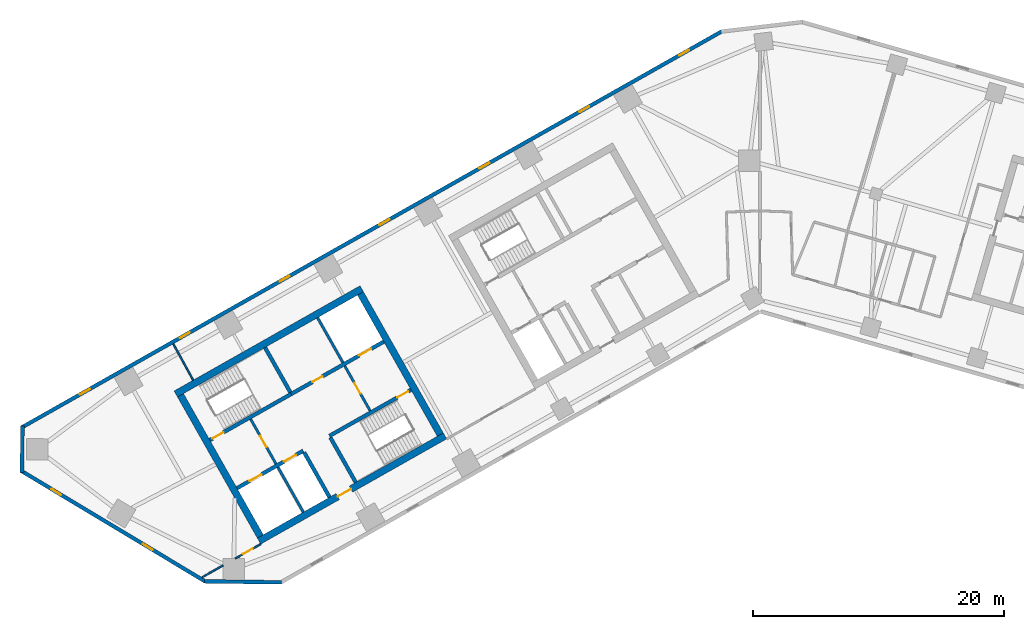
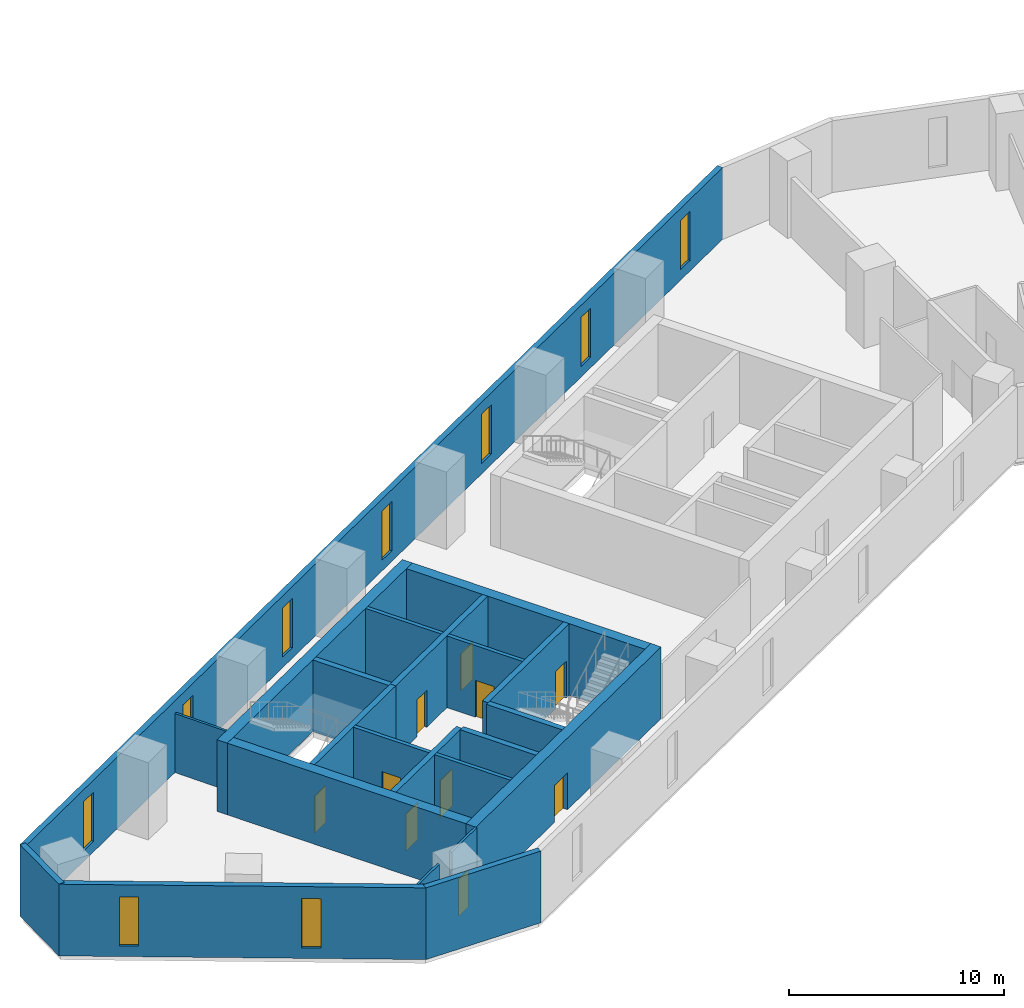
# One storey, part 3 of 10: 22 walls, 10 doors, 9 windows, 19 openings.
"""IFC4 building model written with IfcOpenShell, lengths in metres."""

from ifc_helpers import new_model, si_unit, direction, frame, frame_2d, origin, place, context, subcontext, project, spatial, rectangle, extrude, material, layer, layer_set, type_object, element, fill, save


model = new_model("IFC4")

# Units and contexts
model_context = context("Model", 3, precision=1e-05, world=origin(), true_north=direction((0.0, 1.0)))
body_context = subcontext(model_context, "Body", "Model", "MODEL_VIEW")
ifc_project = project(units=[si_unit("LENGTHUNIT", "METRE"), si_unit("AREAUNIT", "SQUARE_METRE"), si_unit("VOLUMEUNIT", "CUBIC_METRE"), si_unit("PLANEANGLEUNIT", "RADIAN"), si_unit("MASSUNIT", "GRAM", prefix="KILO")], contexts=[model_context])

# Site, building, storey
site_placement = place(None, origin())
site = spatial("IfcSite", under=ifc_project, at=site_placement, CompositionType="ELEMENT")
building_placement = place(site_placement, origin())
building = spatial("IfcBuilding", under=site, at=building_placement, Name="Binnacle Exchange Tower", CompositionType="ELEMENT")
storey_placement = place(building_placement, frame((0.0, 0.0, 110.300048828125)))
storey = spatial("IfcBuildingStorey", under=building, at=storey_placement, Name="L22", CompositionType="ELEMENT", Elevation=110.300048828125)

# Wall, openings, doors
ifc_material_1 = material(Name="Concrete C70/85", Category="concrete")
ifc_layer_1 = layer(ifc_material_1, 0.300048828125)
ifc_layer_set_1 = layer_set([ifc_layer_1], Name="Core wall - front 300")
wall_type_1 = type_object("IfcWallType", Name="Core wall - front 300", PredefinedType="SOLIDWALL", material=ifc_layer_set_1)
wall_1_placement = place(storey_placement, frame((-41.599609375, 33.936279296875, 0.0), z_axis=(0.0, 0.0, 1.0), x_axis=(0.870348557882, 0.492436176365, 0.0)))
wall_1 = element("IfcWall", 1, at=wall_1_placement, inside=storey, type_object=wall_type_1, Name="Core wall CRWA2", PredefinedType="SOLIDWALL", context=body_context, shape_type="SweptSolid", body=[
    extrude(rectangle(XDim=6.050048828125, YDim=0.300048828125, at=frame_2d((3.02490234375, 0.0))), origin(), (0.0, 0.0, 1.0), 4.079833984375),
])
opening_1_placement = place(wall_1_placement, frame((1.14990234375, 0.0, 0.0)))
opening_1 = element("IfcOpeningElement", 2, at=opening_1_placement, cuts=wall_1, Name="Opening LD12", PredefinedType="OPENING", context=body_context, shape_type="SweptSolid", body=[
    extrude(rectangle(XDim=1.10009765625, YDim=2.10009765625, at=frame_2d((0.550048828125, 1.050048828125))), frame((0.0, 0.159912109375, 0.0), z_axis=(0.0, -1.0, 0.0), x_axis=(1.0, 0.0, 0.0)), (0.0, 0.0, 1.0), 0.320068359375),
])
opening_2_placement = place(wall_1_placement, frame((4.300048828125, 0.0, 0.0)))
opening_2 = element("IfcOpeningElement", 3, at=opening_2_placement, cuts=wall_1, Name="Opening LD8", PredefinedType="OPENING", context=body_context, shape_type="SweptSolid", body=[
    extrude(rectangle(XDim=1.10009765625, YDim=2.10009765625, at=frame_2d((0.550048828125, 1.050048828125))), frame((0.0, 0.159912109375, 0.0), z_axis=(0.0, -1.0, 0.0), x_axis=(1.0, 0.0, 0.0)), (0.0, 0.0, 1.0), 0.320068359375),
])
ifc_material_2 = material(Name="Steel door leaf", Category="steel")
door_type_1 = type_object("IfcDoorType", Name="Fire door - lift landing 1100", OperationType="NOTDEFINED", PredefinedType="DOOR", material=ifc_material_2)
door_1_placement = place(opening_1_placement, origin())
door_1 = element("IfcDoor", 4, at=door_1_placement, inside=storey, type_object=door_type_1, Name="Landing door LD12 L22", OperationType="DOUBLE_DOOR_SLIDING", OverallHeight=2.10009765625, OverallWidth=1.10009765625, PredefinedType="DOOR", context=body_context, shape_type="SweptSolid", body=[
    extrude(rectangle(XDim=1.10009765625, YDim=2.10009765625, at=frame_2d((0.550048828125, 1.050048828125))), frame((0.0, 0.02490234375, 0.0), z_axis=(0.0, -1.0, 0.0), x_axis=(1.0, 0.0, 0.0)), (0.0, 0.0, 1.0), 0.050048828125),
])
fill(opening_1, door_1)
door_2_placement = place(opening_2_placement, origin())
door_2 = element("IfcDoor", 5, at=door_2_placement, inside=storey, type_object=door_type_1, Name="Landing door LD8 L22", OperationType="DOUBLE_DOOR_SLIDING", OverallHeight=2.10009765625, OverallWidth=1.10009765625, PredefinedType="DOOR", context=body_context, shape_type="SweptSolid", body=[
    extrude(rectangle(XDim=1.10009765625, YDim=2.10009765625, at=frame_2d((0.550048828125, 1.050048828125))), frame((0.0, 0.02490234375, 0.0), z_axis=(0.0, -1.0, 0.0), x_axis=(1.0, 0.0, 0.0)), (0.0, 0.0, 1.0), 0.050048828125),
])
fill(opening_2, door_2)

wall_2_placement = place(storey_placement, frame((-37.281982421875, 41.4345703125, 0.0), z_axis=(0.0, 0.0, 1.0), x_axis=(0.870359895813, 0.492416136779, 0.0)))
wall_2 = element("IfcWall", 6, at=wall_2_placement, inside=storey, type_object=wall_type_1, Name="Core wall CRWA5", PredefinedType="SOLIDWALL", context=body_context, shape_type="SweptSolid", body=[
    extrude(rectangle(XDim=8.449951171875, YDim=0.300048828125, at=frame_2d((4.22509765625, 0.0))), origin(), (0.0, 0.0, 1.0), 4.079833984375),
])
opening_3_placement = place(wall_2_placement, frame((6.199951171875, 0.0, 0.0)))
opening_3 = element("IfcOpeningElement", 7, at=opening_3_placement, cuts=wall_2, Name="Opening LD13", PredefinedType="OPENING", context=body_context, shape_type="SweptSolid", body=[
    extrude(rectangle(XDim=1.10009765625, YDim=2.10009765625, at=frame_2d((0.550048828125, 1.050048828125))), frame((0.0, 0.159912109375, 0.0), z_axis=(0.0, -1.0, 0.0), x_axis=(1.0, 0.0, 0.0)), (0.0, 0.0, 1.0), 0.320068359375),
])
opening_4_placement = place(wall_2_placement, frame((1.949951171875, 0.0, 0.0)))
opening_4 = element("IfcOpeningElement", 8, at=opening_4_placement, cuts=wall_2, Name="Opening DA10", PredefinedType="OPENING", context=body_context, shape_type="SweptSolid", body=[
    extrude(rectangle(XDim=0.89990234375, YDim=2.10009765625, at=frame_2d((0.449951171875, 1.050048828125))), frame((0.0, 0.159912109375, 0.0), z_axis=(0.0, -1.0, 0.0), x_axis=(1.0, 0.0, 0.0)), (0.0, 0.0, 1.0), 0.320068359375),
])
door_3_placement = place(opening_3_placement, origin())
door_3 = element("IfcDoor", 9, at=door_3_placement, inside=storey, type_object=door_type_1, Name="Landing door LD13 L22", OperationType="DOUBLE_DOOR_SLIDING", OverallHeight=2.10009765625, OverallWidth=1.10009765625, PredefinedType="DOOR", context=body_context, shape_type="SweptSolid", body=[
    extrude(rectangle(XDim=1.10009765625, YDim=2.10009765625, at=frame_2d((0.550048828125, 1.050048828125))), frame((0.0, 0.02490234375, 0.0), z_axis=(0.0, -1.0, 0.0), x_axis=(1.0, 0.0, 0.0)), (0.0, 0.0, 1.0), 0.050048828125),
])
fill(opening_3, door_3)
door_type_2 = type_object("IfcDoorType", Name="Fire door 900", OperationType="NOTDEFINED", PredefinedType="DOOR", material=ifc_material_2)
door_4_placement = place(opening_4_placement, origin())
door_4 = element("IfcDoor", 10, at=door_4_placement, inside=storey, type_object=door_type_2, Name="Core room door EQUIPMENT STORE", OperationType="SINGLE_SWING_LEFT", OverallHeight=2.10009765625, OverallWidth=0.89990234375, PredefinedType="DOOR", context=body_context, shape_type="SweptSolid", body=[
    extrude(rectangle(XDim=0.89990234375, YDim=2.10009765625, at=frame_2d((0.449951171875, 1.050048828125))), frame((0.0, 0.02490234375, 0.0), z_axis=(0.0, -1.0, 0.0), x_axis=(1.0, 0.0, 0.0)), (0.0, 0.0, 1.0), 0.050048828125),
])
fill(opening_4, door_4)

# Wall
wall_3_placement = place(storey_placement, frame((-36.260009765625, 36.784912109375, 0.0), z_axis=(0.0, 0.0, 1.0), x_axis=(0.492408451753, -0.87036424366, 0.0)))
element("IfcWall", 11, at=wall_3_placement, inside=storey, type_object=wall_type_1, Name="Core wall CRWA13", PredefinedType="SOLIDWALL", context=body_context, shape_type="SweptSolid", body=[
    extrude(rectangle(XDim=4.099853515625, YDim=0.300048828125, at=frame_2d((2.0498046875, 0.0))), origin(), (0.0, 0.0, 1.0), 4.079833984375),
])

# Wall, opening, door
ifc_layer_2 = layer(ifc_material_1, 0.550048828125)
ifc_layer_set_2 = layer_set([ifc_layer_2], Name="Core wall - outer 550")
wall_type_2 = type_object("IfcWallType", Name="Core wall - outer 550", PredefinedType="SOLIDWALL", material=ifc_layer_set_2)
wall_4_placement = place(storey_placement, frame((-39.85009765625, 29.727294921875, 0.0), z_axis=(0.0, 0.0, 1.0), x_axis=(0.870359753402, 0.492416388494, 0.0)))
wall_4 = element("IfcWall", 12, at=wall_4_placement, inside=storey, type_object=wall_type_2, Name="Core wall CRWA1", PredefinedType="SOLIDWALL", context=body_context, shape_type="SweptSolid", body=[
    extrude(rectangle(XDim=17.0, YDim=0.550048828125, at=frame_2d((8.5, 0.0))), origin(), (0.0, 0.0, 1.0), 4.079833984375),
])
opening_5_placement = place(wall_4_placement, frame((7.199951171875, 0.0, 0.0)))
opening_5 = element("IfcOpeningElement", 13, at=opening_5_placement, cuts=wall_4, Name="Opening DA7", PredefinedType="OPENING", context=body_context, shape_type="SweptSolid", body=[
    extrude(rectangle(XDim=1.199951171875, YDim=2.10009765625, at=frame_2d((0.60009765625, 1.050048828125))), frame((0.0, 0.284912109375, 0.0), z_axis=(0.0, -1.0, 0.0), x_axis=(1.0, 0.0, 0.0)), (0.0, 0.0, 1.0), 0.570068359375),
])
door_type_3 = type_object("IfcDoorType", Name="Fire door 1200", OperationType="NOTDEFINED", PredefinedType="DOOR", material=ifc_material_2)
door_5_placement = place(opening_5_placement, frame((1.199951171875, 0.0, 0.0), z_axis=(0.0, 0.0, 1.0), x_axis=(-1.0, 0.0, 0.0)))
door_5 = element("IfcDoor", 14, at=door_5_placement, inside=storey, type_object=door_type_3, Name="Lift lobby entrance door core A", OperationType="SINGLE_SWING_RIGHT", OverallHeight=2.10009765625, OverallWidth=1.199951171875, PredefinedType="DOOR", context=body_context, shape_type="SweptSolid", body=[
    extrude(rectangle(XDim=1.199951171875, YDim=2.10009765625, at=frame_2d((0.60009765625, 1.050048828125))), frame((0.0, 0.02490234375, 0.0), z_axis=(0.0, -1.0, 0.0), x_axis=(1.0, 0.0, 0.0)), (0.0, 0.0, 1.0), 0.050048828125),
])
fill(opening_5, door_5)

# Walls
wall_5_placement = place(storey_placement, frame((-46.47314453125, 41.43359375, 0.0), z_axis=(0.0, 0.0, 1.0), x_axis=(0.870359753402, 0.492416388494, 0.0)))
element("IfcWall", 15, at=wall_5_placement, inside=storey, type_object=wall_type_2, Name="Core wall CRWA6", PredefinedType="SOLIDWALL", context=body_context, shape_type="SweptSolid", body=[
    extrude(rectangle(XDim=17.0, YDim=0.550048828125, at=frame_2d((8.5, 0.0))), origin(), (0.0, 0.0, 1.0), 4.079833984375),
])
wall_6_placement = place(storey_placement, frame((-46.098388671875, 41.32958984375, 0.0), z_axis=(0.0, 0.0, 1.0), x_axis=(0.492418910884, -0.870358326325, 0.0)))
element("IfcWall", 16, at=wall_6_placement, inside=storey, type_object=wall_type_2, Name="Core wall CRWA7", PredefinedType="SOLIDWALL", context=body_context, shape_type="SweptSolid", body=[
    extrude(rectangle(XDim=12.900146484375, YDim=0.550048828125, at=frame_2d((6.4501953125, 0.0))), origin(), (0.0, 0.0, 1.0), 4.079833984375),
])
wall_7_placement = place(storey_placement, frame((-31.781005859375, 49.429931640625, 0.0), z_axis=(0.0, 0.0, 1.0), x_axis=(0.492427022044, -0.870353737259, 0.0)))
element("IfcWall", 17, at=wall_7_placement, inside=storey, type_object=wall_type_2, Name="Core wall CRWA22", PredefinedType="SOLIDWALL", context=body_context, shape_type="SweptSolid", body=[
    extrude(rectangle(XDim=12.89990234375, YDim=0.550048828125, at=frame_2d((6.449951171875, 0.0))), origin(), (0.0, 0.0, 1.0), 4.079833984375),
])

# Wall, opening, door
ifc_layer_3 = layer(ifc_material_1, 0.300048828125)
ifc_layer_set_3 = layer_set([ifc_layer_3], Name="Core wall - stair 300")
wall_type_3 = type_object("IfcWallType", Name="Core wall - stair 300", PredefinedType="SOLIDWALL", material=ifc_layer_set_3)
wall_8_placement = place(storey_placement, frame((-34.2451171875, 38.097412109375, 0.0), z_axis=(0.0, 0.0, 1.0), x_axis=(0.870360741098, 0.49241464271, 0.0)))
wall_8 = element("IfcWall", 18, at=wall_8_placement, inside=storey, type_object=wall_type_3, Name="Core wall CRWA3", PredefinedType="SOLIDWALL", context=body_context, shape_type="SweptSolid", body=[
    extrude(rectangle(XDim=7.449951171875, YDim=0.300048828125, at=frame_2d((3.72509765625, 0.0))), origin(), (0.0, 0.0, 1.0), 4.079833984375),
])
opening_6_placement = place(wall_8_placement, frame((6.199951171875, 0.0, 0.0)))
opening_6 = element("IfcOpeningElement", 19, at=opening_6_placement, cuts=wall_8, Name="Opening DA2", PredefinedType="OPENING", context=body_context, shape_type="SweptSolid", body=[
    extrude(rectangle(XDim=1.0, YDim=2.10009765625, at=frame_2d((0.5, 1.050048828125))), frame((0.0, 0.159912109375, 0.0), z_axis=(0.0, -1.0, 0.0), x_axis=(1.0, 0.0, 0.0)), (0.0, 0.0, 1.0), 0.320068359375),
])
door_type_4 = type_object("IfcDoorType", Name="Fire door 1000", OperationType="NOTDEFINED", PredefinedType="DOOR", material=ifc_material_2)
door_6_placement = place(opening_6_placement, frame((1.0, 0.0, 0.0), z_axis=(0.0, 0.0, 1.0), x_axis=(-1.0, 0.0, 0.0)))
door_6 = element("IfcDoor", 20, at=door_6_placement, inside=storey, type_object=door_type_4, Name="Stair door ST-A2", OperationType="SINGLE_SWING_LEFT", OverallHeight=2.10009765625, OverallWidth=1.0, PredefinedType="DOOR", context=body_context, shape_type="SweptSolid", body=[
    extrude(rectangle(XDim=1.0, YDim=2.10009765625, at=frame_2d((0.5, 1.050048828125))), frame((0.0, 0.02490234375, 0.0), z_axis=(0.0, -1.0, 0.0), x_axis=(1.0, 0.0, 0.0)), (0.0, 0.0, 1.0), 0.050048828125),
])
fill(opening_6, door_6)

wall_9_placement = place(storey_placement, frame((-43.76611328125, 37.765869140625, 0.0), z_axis=(0.0, 0.0, 1.0), x_axis=(0.870346696097, 0.492439466932, 0.0)))
wall_9 = element("IfcWall", 21, at=wall_9_placement, inside=storey, type_object=wall_type_3, Name="Core wall CRWA4", PredefinedType="SOLIDWALL", context=body_context, shape_type="SweptSolid", body=[
    extrude(rectangle(XDim=7.449951171875, YDim=0.300048828125, at=frame_2d((3.72509765625, 0.0))), origin(), (0.0, 0.0, 1.0), 4.079833984375),
])
opening_7_placement = place(wall_9_placement, frame((0.25, 0.0, 0.0)))
opening_7 = element("IfcOpeningElement", 22, at=opening_7_placement, cuts=wall_9, Name="Opening DA1", PredefinedType="OPENING", context=body_context, shape_type="SweptSolid", body=[
    extrude(rectangle(XDim=1.0, YDim=2.10009765625, at=frame_2d((0.5, 1.050048828125))), frame((0.0, 0.159912109375, 0.0), z_axis=(0.0, -1.0, 0.0), x_axis=(1.0, 0.0, 0.0)), (0.0, 0.0, 1.0), 0.320068359375),
])
door_7_placement = place(opening_7_placement, origin())
door_7 = element("IfcDoor", 23, at=door_7_placement, inside=storey, type_object=door_type_4, Name="Stair door ST-A1", OperationType="SINGLE_SWING_LEFT", OverallHeight=2.10009765625, OverallWidth=1.0, PredefinedType="DOOR", context=body_context, shape_type="SweptSolid", body=[
    extrude(rectangle(XDim=1.0, YDim=2.10009765625, at=frame_2d((0.5, 1.050048828125))), frame((0.0, 0.02490234375, 0.0), z_axis=(0.0, -1.0, 0.0), x_axis=(1.0, 0.0, 0.0)), (0.0, 0.0, 1.0), 0.050048828125),
])
fill(opening_7, door_7)

# Walls
for number, where, z_axis, x_axis, name in (
    (24, (-39.375, 45.133544921875, 0.0), (0.0, 0.0, 1.0), (0.492428039142, -0.870353161807, 0.0), "Core wall CRWA14"),
    (25, (-34.171142578125, 37.966796875, 0.0), (0.0, 0.0, 1.0), (0.492382931784, -0.870378681085, 0.0), "Core wall CRWA16"),
):
    element("IfcWall", number, at=place(storey_placement, frame(where, z_axis=z_axis, x_axis=x_axis)), inside=storey, type_object=wall_type_3, Name=name, PredefinedType="SOLIDWALL", context=body_context, shape_type="SweptSolid", body=[
        extrude(rectangle(XDim=4.10009765625, YDim=0.300048828125, at=frame_2d((2.050048828125, 0.0))), origin(), (0.0, 0.0, 1.0), 4.079833984375),
    ])

# Wall, openings, windows
ifc_material_3 = material(Name="Bronze aluminium cladding", Category="aluminium")
ifc_layer_4 = layer(ifc_material_3, 0.300048828125)
ifc_layer_set_4 = layer_set([ifc_layer_4], Name="External wall - spandrel 300")
wall_type_4 = type_object("IfcWallType", Name="External wall - spandrel 300", PredefinedType="STANDARD", material=ifc_layer_set_4)
wall_10_placement = place(storey_placement, frame((-58.744873046875, 38.763671875, 0.0), z_axis=(0.0, 0.0, 1.0), x_axis=(0.870355811726, 0.492423355453, 0.0)))
wall_10 = element("IfcWall", 26, at=wall_10_placement, inside=storey, type_object=wall_type_4, Name="External wall EW-F03 L22", PredefinedType="STANDARD", context=body_context, shape_type="SweptSolid", body=[
    extrude(rectangle(XDim=64.025390625, YDim=0.300048828125, at=frame_2d((32.0126953125, 0.0))), origin(), (0.0, 0.0, 1.0), 4.079833984375),
])
opening_8_placement = place(wall_10_placement, frame((60.12158203125, 0.0, 0.60009765625)))
opening_8 = element("IfcOpeningElement", 27, at=opening_8_placement, cuts=wall_10, Name="Opening WS2", PredefinedType="OPENING", context=body_context, shape_type="SweptSolid", body=[
    extrude(rectangle(XDim=0.89990234375, YDim=2.800048828125, at=frame_2d((0.449951171875, 1.39990234375))), frame((0.0, 0.159912109375, 0.0), z_axis=(0.0, -1.0, 0.0), x_axis=(1.0, 0.0, 0.0)), (0.0, 0.0, 1.0), 0.320068359375),
])
opening_9_placement = place(wall_10_placement, frame((50.99169921875, 0.0, 0.60009765625)))
opening_9 = element("IfcOpeningElement", 28, at=opening_9_placement, cuts=wall_10, Name="Opening WS2", PredefinedType="OPENING", context=body_context, shape_type="SweptSolid", body=[
    extrude(rectangle(XDim=0.89990234375, YDim=2.800048828125, at=frame_2d((0.449951171875, 1.39990234375))), frame((0.0, 0.159912109375, 0.0), z_axis=(0.0, -1.0, 0.0), x_axis=(1.0, 0.0, 0.0)), (0.0, 0.0, 1.0), 0.320068359375),
])
opening_10_placement = place(wall_10_placement, frame((41.86181640625, 0.0, 0.60009765625)))
opening_10 = element("IfcOpeningElement", 29, at=opening_10_placement, cuts=wall_10, Name="Opening WS2", PredefinedType="OPENING", context=body_context, shape_type="SweptSolid", body=[
    extrude(rectangle(XDim=0.89990234375, YDim=2.800048828125, at=frame_2d((0.449951171875, 1.39990234375))), frame((0.0, 0.159912109375, 0.0), z_axis=(0.0, -1.0, 0.0), x_axis=(1.0, 0.0, 0.0)), (0.0, 0.0, 1.0), 0.320068359375),
])
opening_11_placement = place(wall_10_placement, frame((32.73193359375, 0.0, 0.60009765625)))
opening_11 = element("IfcOpeningElement", 30, at=opening_11_placement, cuts=wall_10, Name="Opening WS2", PredefinedType="OPENING", context=body_context, shape_type="SweptSolid", body=[
    extrude(rectangle(XDim=0.89990234375, YDim=2.800048828125, at=frame_2d((0.449951171875, 1.39990234375))), frame((0.0, 0.159912109375, 0.0), z_axis=(0.0, -1.0, 0.0), x_axis=(1.0, 0.0, 0.0)), (0.0, 0.0, 1.0), 0.320068359375),
])
opening_12_placement = place(wall_10_placement, frame((23.60205078125, 0.0, 0.60009765625)))
opening_12 = element("IfcOpeningElement", 31, at=opening_12_placement, cuts=wall_10, Name="Opening WS2", PredefinedType="OPENING", context=body_context, shape_type="SweptSolid", body=[
    extrude(rectangle(XDim=0.89990234375, YDim=2.800048828125, at=frame_2d((0.449951171875, 1.39990234375))), frame((0.0, 0.159912109375, 0.0), z_axis=(0.0, -1.0, 0.0), x_axis=(1.0, 0.0, 0.0)), (0.0, 0.0, 1.0), 0.320068359375),
])
opening_13_placement = place(wall_10_placement, frame((14.47216796875, 0.0, 0.60009765625)))
opening_13 = element("IfcOpeningElement", 32, at=opening_13_placement, cuts=wall_10, Name="Opening WS2", PredefinedType="OPENING", context=body_context, shape_type="SweptSolid", body=[
    extrude(rectangle(XDim=0.89990234375, YDim=2.800048828125, at=frame_2d((0.449951171875, 1.39990234375))), frame((0.0, 0.159912109375, 0.0), z_axis=(0.0, -1.0, 0.0), x_axis=(1.0, 0.0, 0.0)), (0.0, 0.0, 1.0), 0.320068359375),
])
opening_14_placement = place(wall_10_placement, frame((5.34228515625, 0.0, 0.60009765625)))
opening_14 = element("IfcOpeningElement", 33, at=opening_14_placement, cuts=wall_10, Name="Opening WS2", PredefinedType="OPENING", context=body_context, shape_type="SweptSolid", body=[
    extrude(rectangle(XDim=0.89990234375, YDim=2.800048828125, at=frame_2d((0.449951171875, 1.39990234375))), frame((0.0, 0.159912109375, 0.0), z_axis=(0.0, -1.0, 0.0), x_axis=(1.0, 0.0, 0.0)), (0.0, 0.0, 1.0), 0.320068359375),
])
ifc_material_4 = material(Name="Bronze anodised aluminium frame", Category="aluminium")
window_type = type_object("IfcWindowType", Name="WS2 WINDOW 900x2800", PartitioningType="SINGLE_PANEL", PredefinedType="WINDOW", material=ifc_material_4)
window_1_placement = place(opening_8_placement, origin())
window_1 = element("IfcWindow", 34, at=window_1_placement, inside=storey, type_object=window_type, Name="Window WS2 L22", OverallHeight=2.800048828125, OverallWidth=0.89990234375, PartitioningType="SINGLE_PANEL", PredefinedType="WINDOW", context=body_context, shape_type="SweptSolid", body=[
    extrude(rectangle(XDim=0.89990234375, YDim=2.800048828125, at=frame_2d((0.449951171875, 1.39990234375))), frame((0.0, 0.030029296875, 0.0), z_axis=(0.0, -1.0, 0.0), x_axis=(1.0, 0.0, 0.0)), (0.0, 0.0, 1.0), 0.06005859375),
])
fill(opening_8, window_1)
window_2_placement = place(opening_9_placement, origin())
window_2 = element("IfcWindow", 35, at=window_2_placement, inside=storey, type_object=window_type, Name="Window WS2 L22", OverallHeight=2.800048828125, OverallWidth=0.89990234375, PartitioningType="SINGLE_PANEL", PredefinedType="WINDOW", context=body_context, shape_type="SweptSolid", body=[
    extrude(rectangle(XDim=0.89990234375, YDim=2.800048828125, at=frame_2d((0.449951171875, 1.39990234375))), frame((0.0, 0.030029296875, 0.0), z_axis=(0.0, -1.0, 0.0), x_axis=(1.0, 0.0, 0.0)), (0.0, 0.0, 1.0), 0.06005859375),
])
fill(opening_9, window_2)
window_3_placement = place(opening_10_placement, origin())
window_3 = element("IfcWindow", 36, at=window_3_placement, inside=storey, type_object=window_type, Name="Window WS2 L22", OverallHeight=2.800048828125, OverallWidth=0.89990234375, PartitioningType="SINGLE_PANEL", PredefinedType="WINDOW", context=body_context, shape_type="SweptSolid", body=[
    extrude(rectangle(XDim=0.89990234375, YDim=2.800048828125, at=frame_2d((0.449951171875, 1.39990234375))), frame((0.0, 0.030029296875, 0.0), z_axis=(0.0, -1.0, 0.0), x_axis=(1.0, 0.0, 0.0)), (0.0, 0.0, 1.0), 0.06005859375),
])
fill(opening_10, window_3)
window_4_placement = place(opening_11_placement, origin())
window_4 = element("IfcWindow", 37, at=window_4_placement, inside=storey, type_object=window_type, Name="Window WS2 L22", OverallHeight=2.800048828125, OverallWidth=0.89990234375, PartitioningType="SINGLE_PANEL", PredefinedType="WINDOW", context=body_context, shape_type="SweptSolid", body=[
    extrude(rectangle(XDim=0.89990234375, YDim=2.800048828125, at=frame_2d((0.449951171875, 1.39990234375))), frame((0.0, 0.030029296875, 0.0), z_axis=(0.0, -1.0, 0.0), x_axis=(1.0, 0.0, 0.0)), (0.0, 0.0, 1.0), 0.06005859375),
])
fill(opening_11, window_4)
window_5_placement = place(opening_12_placement, origin())
window_5 = element("IfcWindow", 38, at=window_5_placement, inside=storey, type_object=window_type, Name="Window WS2 L22", OverallHeight=2.800048828125, OverallWidth=0.89990234375, PartitioningType="SINGLE_PANEL", PredefinedType="WINDOW", context=body_context, shape_type="SweptSolid", body=[
    extrude(rectangle(XDim=0.89990234375, YDim=2.800048828125, at=frame_2d((0.449951171875, 1.39990234375))), frame((0.0, 0.030029296875, 0.0), z_axis=(0.0, -1.0, 0.0), x_axis=(1.0, 0.0, 0.0)), (0.0, 0.0, 1.0), 0.06005859375),
])
fill(opening_12, window_5)
window_6_placement = place(opening_13_placement, origin())
window_6 = element("IfcWindow", 39, at=window_6_placement, inside=storey, type_object=window_type, Name="Window WS2 L22", OverallHeight=2.800048828125, OverallWidth=0.89990234375, PartitioningType="SINGLE_PANEL", PredefinedType="WINDOW", context=body_context, shape_type="SweptSolid", body=[
    extrude(rectangle(XDim=0.89990234375, YDim=2.800048828125, at=frame_2d((0.449951171875, 1.39990234375))), frame((0.0, 0.030029296875, 0.0), z_axis=(0.0, -1.0, 0.0), x_axis=(1.0, 0.0, 0.0)), (0.0, 0.0, 1.0), 0.06005859375),
])
fill(opening_13, window_6)
window_7_placement = place(opening_14_placement, origin())
window_7 = element("IfcWindow", 40, at=window_7_placement, inside=storey, type_object=window_type, Name="Window WS2 L22", OverallHeight=2.800048828125, OverallWidth=0.89990234375, PartitioningType="SINGLE_PANEL", PredefinedType="WINDOW", context=body_context, shape_type="SweptSolid", body=[
    extrude(rectangle(XDim=0.89990234375, YDim=2.800048828125, at=frame_2d((0.449951171875, 1.39990234375))), frame((0.0, 0.030029296875, 0.0), z_axis=(0.0, -1.0, 0.0), x_axis=(1.0, 0.0, 0.0)), (0.0, 0.0, 1.0), 0.06005859375),
])
fill(opening_14, window_7)

# Wall
wall_11_placement = place(storey_placement, frame((-58.717041015625, 35.19384765625, 0.0), z_axis=(0.0, 0.0, 1.0), x_axis=(0.013069053407, 0.999914596275, 0.0)))
element("IfcWall", 41, at=wall_11_placement, inside=storey, type_object=wall_type_4, Name="External wall EW-F04 L22", PredefinedType="STANDARD", context=body_context, shape_type="SweptSolid", body=[
    extrude(rectangle(XDim=3.69873046875, YDim=0.300048828125, at=frame_2d((1.849365234375, 0.0))), origin(), (0.0, 0.0, 1.0), 4.079833984375),
])

# Wall, openings, windows
wall_12_placement = place(storey_placement, frame((-44.109375, 26.503662109375, 0.0), z_axis=(0.0, 0.0, 1.0), x_axis=(-0.857169502585, 0.515034410344, 0.0)))
wall_12 = element("IfcWall", 42, at=wall_12_placement, inside=storey, type_object=wall_type_4, Name="External wall EW-F05 L22", PredefinedType="STANDARD", context=body_context, shape_type="SweptSolid", body=[
    extrude(rectangle(XDim=17.126708984375, YDim=0.300048828125, at=frame_2d((8.5634765625, 0.0))), origin(), (0.0, 0.0, 1.0), 4.079833984375),
])
opening_15_placement = place(wall_12_placement, frame((13.403076171875, 0.0, 0.60009765625)))
opening_15 = element("IfcOpeningElement", 43, at=opening_15_placement, cuts=wall_12, Name="Opening WS2", PredefinedType="OPENING", context=body_context, shape_type="SweptSolid", body=[
    extrude(rectangle(XDim=0.89990234375, YDim=2.800048828125, at=frame_2d((0.449951171875, 1.39990234375))), frame((0.0, 0.159912109375, 0.0), z_axis=(0.0, -1.0, 0.0), x_axis=(1.0, 0.0, 0.0)), (0.0, 0.0, 1.0), 0.320068359375),
])
opening_16_placement = place(wall_12_placement, frame((4.903076171875, 0.0, 0.60009765625)))
opening_16 = element("IfcOpeningElement", 44, at=opening_16_placement, cuts=wall_12, Name="Opening WS2", PredefinedType="OPENING", context=body_context, shape_type="SweptSolid", body=[
    extrude(rectangle(XDim=0.89990234375, YDim=2.800048828125, at=frame_2d((0.449951171875, 1.39990234375))), frame((0.0, 0.159912109375, 0.0), z_axis=(0.0, -1.0, 0.0), x_axis=(1.0, 0.0, 0.0)), (0.0, 0.0, 1.0), 0.320068359375),
])
window_8_placement = place(opening_15_placement, origin())
window_8 = element("IfcWindow", 45, at=window_8_placement, inside=storey, type_object=window_type, Name="Window WS2 L22", OverallHeight=2.800048828125, OverallWidth=0.89990234375, PartitioningType="SINGLE_PANEL", PredefinedType="WINDOW", context=body_context, shape_type="SweptSolid", body=[
    extrude(rectangle(XDim=0.89990234375, YDim=2.800048828125, at=frame_2d((0.449951171875, 1.39990234375))), frame((0.0, 0.030029296875, 0.0), z_axis=(0.0, -1.0, 0.0), x_axis=(1.0, 0.0, 0.0)), (0.0, 0.0, 1.0), 0.06005859375),
])
fill(opening_15, window_8)
window_9_placement = place(opening_16_placement, origin())
window_9 = element("IfcWindow", 46, at=window_9_placement, inside=storey, type_object=window_type, Name="Window WS2 L22", OverallHeight=2.800048828125, OverallWidth=0.89990234375, PartitioningType="SINGLE_PANEL", PredefinedType="WINDOW", context=body_context, shape_type="SweptSolid", body=[
    extrude(rectangle(XDim=0.89990234375, YDim=2.800048828125, at=frame_2d((0.449951171875, 1.39990234375))), frame((0.0, 0.030029296875, 0.0), z_axis=(0.0, -1.0, 0.0), x_axis=(1.0, 0.0, 0.0)), (0.0, 0.0, 1.0), 0.06005859375),
])
fill(opening_16, window_9)

# Wall
wall_13_placement = place(storey_placement, frame((-38.057373046875, 26.44482421875, 0.0), z_axis=(0.0, 0.0, 1.0), x_axis=(-0.999914086342, 0.013108010296, 0.0)))
element("IfcWall", 47, at=wall_13_placement, inside=storey, type_object=wall_type_4, Name="External wall EW-F06 L22", PredefinedType="STANDARD", context=body_context, shape_type="SweptSolid", body=[
    extrude(rectangle(XDim=6.127685546875, YDim=0.300048828125, at=frame_2d((3.06396484375, 0.0))), origin(), (0.0, 0.0, 1.0), 4.079833984375),
])

# Wall, opening, door
ifc_material_5 = material(Name="Masonry block wall", Category="masonry")
ifc_layer_5 = layer(ifc_material_5, 0.199951171875)
ifc_layer_set_5 = layer_set([ifc_layer_5], Name="Fire wall - vestibule 200")
wall_type_5 = type_object("IfcWallType", Name="Fire wall - vestibule 200", PredefinedType="PARTITIONING", material=ifc_layer_set_5)
wall_14_placement = place(storey_placement, frame((-40.515625, 39.4326171875, 0.0), z_axis=(0.0, 0.0, 1.0), x_axis=(0.492453559952, -0.87033872216, 0.0)))
wall_14 = element("IfcWall", 48, at=wall_14_placement, inside=storey, type_object=wall_type_5, Name="Core wall CRWA10", PredefinedType="PARTITIONING", context=body_context, shape_type="SweptSolid", body=[
    extrude(rectangle(XDim=4.099853515625, YDim=0.199951171875, at=frame_2d((2.0498046875, 0.0))), origin(), (0.0, 0.0, 1.0), 4.079833984375),
])
opening_17_placement = place(wall_14_placement, frame((1.550048828125, 0.0, 0.0)))
opening_17 = element("IfcOpeningElement", 49, at=opening_17_placement, cuts=wall_14, Name="Opening DA3", PredefinedType="OPENING", context=body_context, shape_type="SweptSolid", body=[
    extrude(rectangle(XDim=1.0, YDim=2.10009765625, at=frame_2d((0.5, 1.050048828125))), frame((0.0, 0.10986328125, 0.0), z_axis=(0.0, -1.0, 0.0), x_axis=(1.0, 0.0, 0.0)), (0.0, 0.0, 1.0), 0.219970703125),
])
door_8_placement = place(opening_17_placement, frame((1.0, 0.0, 0.0), z_axis=(0.0, 0.0, 1.0), x_axis=(-1.0, 0.0, 0.0)))
door_8 = element("IfcDoor", 50, at=door_8_placement, inside=storey, type_object=door_type_4, Name="Vestibule door VEST-W", OperationType="SINGLE_SWING_LEFT", OverallHeight=2.10009765625, OverallWidth=1.0, PredefinedType="DOOR", context=body_context, shape_type="SweptSolid", body=[
    extrude(rectangle(XDim=1.0, YDim=2.10009765625, at=frame_2d((0.5, 1.050048828125))), frame((0.0, 0.02490234375, 0.0), z_axis=(0.0, -1.0, 0.0), x_axis=(1.0, 0.0, 0.0)), (0.0, 0.0, 1.0), 0.050048828125),
])
fill(opening_17, door_8)

wall_15_placement = place(storey_placement, frame((-33.030517578125, 43.66748046875, 0.0), z_axis=(0.0, 0.0, 1.0), x_axis=(0.492408451753, -0.87036424366, 0.0)))
wall_15 = element("IfcWall", 51, at=wall_15_placement, inside=storey, type_object=wall_type_5, Name="Core wall CRWA19", PredefinedType="PARTITIONING", context=body_context, shape_type="SweptSolid", body=[
    extrude(rectangle(XDim=4.099853515625, YDim=0.199951171875, at=frame_2d((2.0498046875, 0.0))), origin(), (0.0, 0.0, 1.0), 4.079833984375),
])
opening_18_placement = place(wall_15_placement, frame((1.550048828125, 0.0, 0.0)))
opening_18 = element("IfcOpeningElement", 52, at=opening_18_placement, cuts=wall_15, Name="Opening DA4", PredefinedType="OPENING", context=body_context, shape_type="SweptSolid", body=[
    extrude(rectangle(XDim=1.0, YDim=2.10009765625, at=frame_2d((0.5, 1.050048828125))), frame((0.0, 0.10986328125, 0.0), z_axis=(0.0, -1.0, 0.0), x_axis=(1.0, 0.0, 0.0)), (0.0, 0.0, 1.0), 0.219970703125),
])
door_9_placement = place(opening_18_placement, origin())
door_9 = element("IfcDoor", 53, at=door_9_placement, inside=storey, type_object=door_type_4, Name="Vestibule door VEST-E", OperationType="SINGLE_SWING_RIGHT", OverallHeight=2.10009765625, OverallWidth=1.0, PredefinedType="DOOR", context=body_context, shape_type="SweptSolid", body=[
    extrude(rectangle(XDim=1.0, YDim=2.10009765625, at=frame_2d((0.5, 1.050048828125))), frame((0.0, 0.02490234375, 0.0), z_axis=(0.0, -1.0, 0.0), x_axis=(1.0, 0.0, 0.0)), (0.0, 0.0, 1.0), 0.050048828125),
])
fill(opening_18, door_9)

# Walls
ifc_material_6 = material(Name="Gypsum partition")
ifc_layer_6 = layer(ifc_material_6, 0.125)
ifc_layer_set_6 = layer_set([ifc_layer_6], Name="Partition 125")
wall_type_6 = type_object("IfcWallType", Name="Partition 125", PredefinedType="PARTITIONING", material=ifc_layer_set_6)
wall_16_placement = place(storey_placement, frame((-46.677978515625, 45.4189453125, 0.0), z_axis=(0.0, 0.0, 1.0), x_axis=(0.483275206546, -0.875468488718, 0.0)))
element("IfcWall", 54, at=wall_16_placement, inside=storey, type_object=wall_type_6, Name="Partition W01", PredefinedType="PARTITIONING", context=body_context, shape_type="SweptSolid", body=[
    extrude(rectangle(XDim=3.294189453125, YDim=0.125, at=frame_2d((1.64697265625, 0.0))), origin(), (0.0, 0.0, 1.0), 3.35986328125),
])
wall_17_placement = place(storey_placement, frame((-44.385986328125, 26.844970703125, 0.0), z_axis=(0.0, 0.0, 1.0), x_axis=(0.870226201187, 0.492652371118, 0.0)))
element("IfcWall", 55, at=wall_17_placement, inside=storey, type_object=wall_type_6, Name="Partition W02", PredefinedType="PARTITIONING", context=body_context, shape_type="SweptSolid", body=[
    extrude(rectangle(XDim=1.9326171875, YDim=0.125, at=frame_2d((0.96630859375, 0.0))), origin(), (0.0, 0.0, 1.0), 4.079833984375),
])

# Wall, opening, door
wall_18_placement = place(storey_placement, frame((-41.738037109375, 28.343017578125, 0.0), z_axis=(0.0, 0.0, 1.0), x_axis=(0.870265350095, 0.492583211676, 0.0)))
wall_18 = element("IfcWall", 56, at=wall_18_placement, inside=storey, type_object=wall_type_6, Name="Partition W03", PredefinedType="PARTITIONING", context=body_context, shape_type="SweptSolid", body=[
    extrude(rectangle(XDim=2.324462890625, YDim=0.125, at=frame_2d((1.162109375, 0.0))), origin(), (0.0, 0.0, 1.0), 4.079833984375),
])
opening_19_placement = place(wall_18_placement, frame((0.699951171875, 0.0, 0.0)))
opening_19 = element("IfcOpeningElement", 57, at=opening_19_placement, cuts=wall_18, Name="Opening DL22-01", PredefinedType="OPENING", context=body_context, shape_type="SweptSolid", body=[
    extrude(rectangle(XDim=0.89990234375, YDim=2.10009765625, at=frame_2d((0.449951171875, 1.050048828125))), frame((0.0, 0.072509765625, 0.0), z_axis=(0.0, -1.0, 0.0), x_axis=(1.0, 0.0, 0.0)), (0.0, 0.0, 1.0), 0.14501953125),
])
ifc_material_7 = material(Name="Timber door leaf", Category="wood")
door_type_5 = type_object("IfcDoorType", Name="Door 900", OperationType="NOTDEFINED", PredefinedType="DOOR", material=ifc_material_7)
door_10_placement = place(opening_19_placement, origin())
door_10 = element("IfcDoor", 58, at=door_10_placement, inside=storey, type_object=door_type_5, Name="Door DL22-01", OperationType="SINGLE_SWING_LEFT", OverallHeight=2.10009765625, OverallWidth=0.89990234375, PredefinedType="DOOR", context=body_context, shape_type="SweptSolid", body=[
    extrude(rectangle(XDim=0.89990234375, YDim=2.10009765625, at=frame_2d((0.449951171875, 1.050048828125))), frame((0.0, 0.02490234375, 0.0), z_axis=(0.0, -1.0, 0.0), x_axis=(1.0, 0.0, 0.0)), (0.0, 0.0, 1.0), 0.050048828125),
])
fill(opening_19, door_10)

# Walls
ifc_layer_7 = layer(ifc_material_5, 0.199951171875)
ifc_layer_set_7 = layer_set([ifc_layer_7], Name="Shaft wall 200")
wall_type_7 = type_object("IfcWallType", Name="Shaft wall 200", PredefinedType="SOLIDWALL", material=ifc_layer_set_7)
wall_19_placement = place(storey_placement, frame((-38.348876953125, 35.603271484375, 0.0), z_axis=(0.0, 0.0, 1.0), x_axis=(0.492382931784, -0.870378681085, 0.0)))
element("IfcWall", 59, at=wall_19_placement, inside=storey, type_object=wall_type_7, Name="Core wall CRWA9", PredefinedType="SOLIDWALL", context=body_context, shape_type="SweptSolid", body=[
    extrude(rectangle(XDim=4.10009765625, YDim=0.199951171875, at=frame_2d((2.050048828125, 0.0))), origin(), (0.0, 0.0, 1.0), 4.079833984375),
])
wall_20_placement = place(storey_placement, frame((-35.197265625, 47.4970703125, 0.0), z_axis=(0.0, 0.0, 1.0), x_axis=(0.492453559952, -0.87033872216, 0.0)))
element("IfcWall", 60, at=wall_20_placement, inside=storey, type_object=wall_type_7, Name="Core wall CRWA21", PredefinedType="SOLIDWALL", context=body_context, shape_type="SweptSolid", body=[
    extrude(rectangle(XDim=4.099853515625, YDim=0.199951171875, at=frame_2d((2.0498046875, 0.0))), origin(), (0.0, 0.0, 1.0), 4.079833984375),
])

save(model, "model.ifc")
